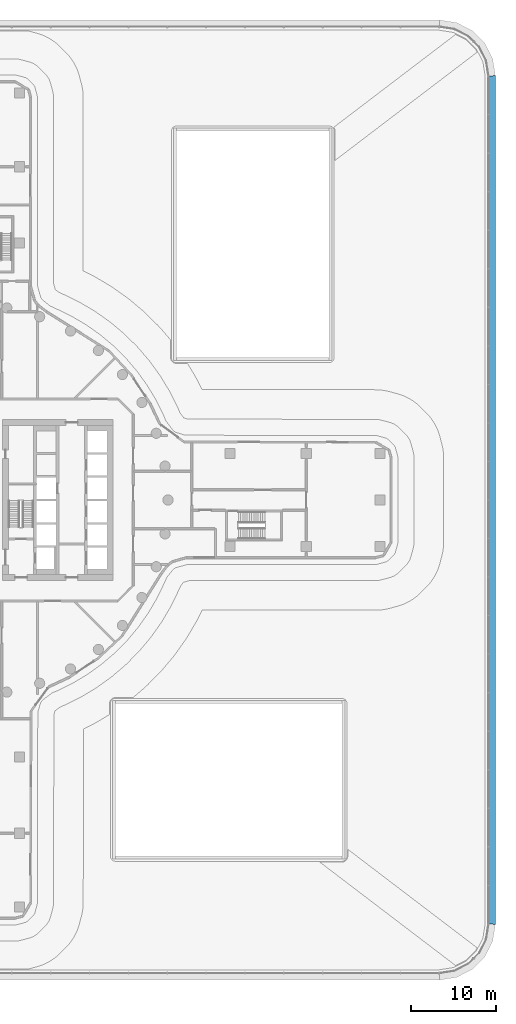
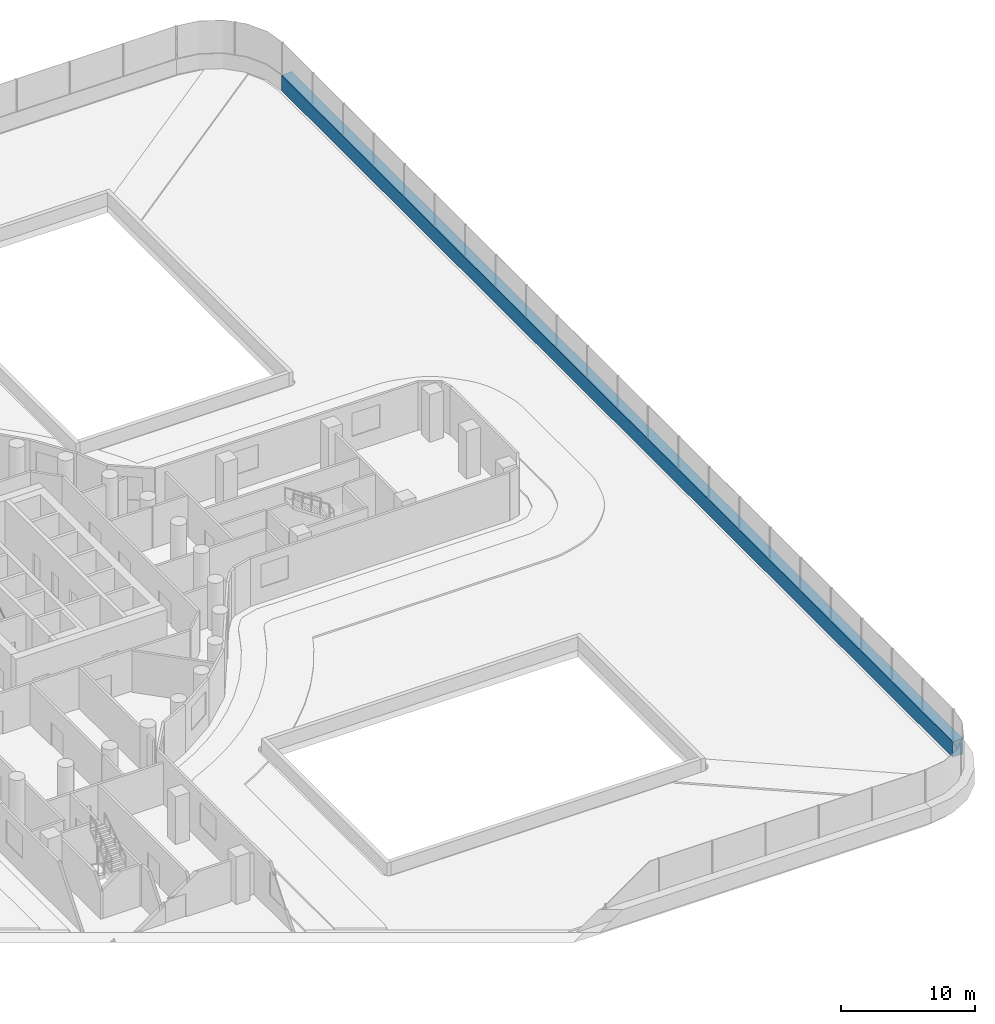
# One storey, part 11 of 37: 1 member, 1 element without a shape of its own.
"""IFC4 building model written with IfcOpenShell, lengths in metres."""

from ifc_helpers import new_model, si_unit, direction, frame, origin, place, context, subcontext, project, spatial, polyline, outline, extrude, material, layer, layer_set, type_object, element, aggregate, save


model = new_model("IFC4")

# Units and contexts
model_context = context("Model", 3, precision=1e-05, world=origin(), true_north=direction((0.0, 1.0)))
body_context = subcontext(model_context, "Body", "Model", "MODEL_VIEW")
ifc_project = project(units=[si_unit("LENGTHUNIT", "METRE"), si_unit("AREAUNIT", "SQUARE_METRE"), si_unit("VOLUMEUNIT", "CUBIC_METRE"), si_unit("PLANEANGLEUNIT", "RADIAN"), si_unit("MASSUNIT", "GRAM", prefix="KILO")], contexts=[model_context])

# Site, building, storey
site_placement = place(None, origin())
site = spatial("IfcSite", under=ifc_project, at=site_placement, CompositionType="ELEMENT")
building_placement = place(site_placement, origin())
building = spatial("IfcBuilding", under=site, at=building_placement, Name="Tamarind Cross Interchange Tower", CompositionType="ELEMENT")
storey_placement = place(building_placement, frame((0.0, 0.0, 29.5)))
storey = spatial("IfcBuildingStorey", under=building, at=storey_placement, Name="L05", CompositionType="ELEMENT", Elevation=29.5)

# Curtain wall, member
ifc_material_1 = material(Name="Aluminium 6063-T6", Category="aluminium")
ifc_layer = layer(ifc_material_1, 0.179931640625)
ifc_layer_set = layer_set([ifc_layer], Name="Aluminium 6063-T6")
curtain_wall_type = type_object("IfcCurtainWallType", Name="Sky lobby curtain wall, fire-resisting glazing", PredefinedType="NOTDEFINED", material=ifc_layer_set)
curtain_wall_placement = place(storey_placement, origin())
curtain_wall = element("IfcCurtainWall", 1, at=curtain_wall_placement, inside=storey, type_object=curtain_wall_type, Name="CWS-L05-00", PredefinedType="NOTDEFINED")
ifc_material_2 = material(Name="Aluminium and insulated spandrel panel", Category="aluminium")
member_type = type_object("IfcMemberType", Name="Floor-edge blade transom", PredefinedType="USERDEFINED", material=ifc_material_2)
member_placement = place(storey_placement, origin())
member = element("IfcMember", 2, at=member_placement, type_object=member_type, Name="CWT-L05-00", ObjectType="TRANSOM", PredefinedType="USERDEFINED", context=body_context, shape_type="SweptSolid", body=[
    extrude(outline(polyline([(60.699951171875, -49.976318359375), (60.699951171875, 49.976318359375), (61.60009765625, 50.047119140625), (61.60009765625, -50.047119140625), (60.699951171875, -49.976318359375)])), origin(), (0.0, 0.0, 1.0), 1.39990234375),
])
aggregate(curtain_wall, [member])

save(model, "model.ifc")
